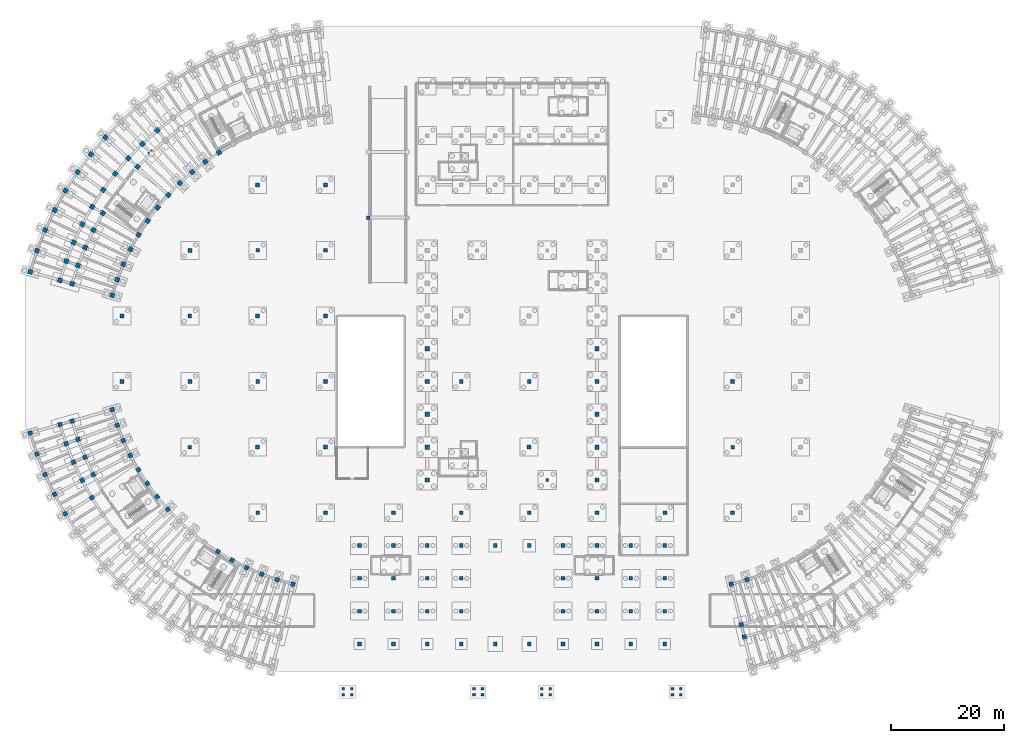
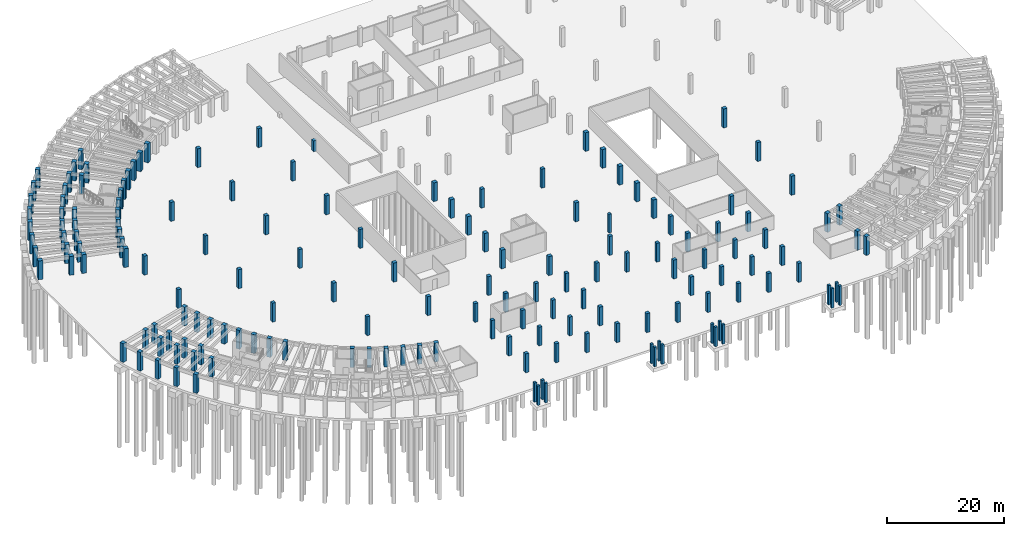
# One storey, part 7 of 29: 162 columns.
"""IFC4 building model written with IfcOpenShell, lengths in metres."""

from ifc_helpers import new_model, si_unit, direction, frame, origin, origin_2d, place, context, subcontext, project, spatial, rectangle, extrude, material, material_profile, profile_set, type_object, element, save


model = new_model("IFC4")

# Units and contexts
model_context = context("Model", 3, precision=1e-05, world=origin(), true_north=direction((0.0, 1.0)))
body_context = subcontext(model_context, "Body", "Model", "MODEL_VIEW")
ifc_project = project(units=[si_unit("LENGTHUNIT", "METRE"), si_unit("AREAUNIT", "SQUARE_METRE"), si_unit("VOLUMEUNIT", "CUBIC_METRE"), si_unit("PLANEANGLEUNIT", "RADIAN"), si_unit("MASSUNIT", "GRAM", prefix="KILO")], contexts=[model_context])

# Site, building, storey
site_placement = place(None, origin())
site = spatial("IfcSite", under=ifc_project, at=site_placement, CompositionType="ELEMENT")
building_placement = place(site_placement, origin())
building = spatial("IfcBuilding", under=site, at=building_placement, Name="Tanwirah Colonnade Gardens", CompositionType="ELEMENT")
storey_placement = place(building_placement, frame((0.0, 0.0, -4.199951171875)))
storey = spatial("IfcBuildingStorey", under=building, at=storey_placement, Name="B1", CompositionType="ELEMENT", Elevation=-4.199951171875)

# Columns
ifc_material_1 = material(Name="Precast concrete C40/50", Category="concrete")
ifc_material_profile_1 = material_profile(ifc_material_1, rectangle(XDim=0.4599609375, YDim=0.4599609375, at=origin_2d()), Name="PC-COL 460x460")
ifc_profile_set_1 = profile_set([ifc_material_profile_1], Name="Precast concrete C40/50")
column_type_1 = type_object("IfcColumnType", Name="C-PC400", PredefinedType="COLUMN", material=ifc_profile_set_1)
for number, where, z_axis, x_axis, name in (
    (1, (63.14990234375, 1.780029296875, -0.449951171875), (0.0, 0.0, 1.0), (1.0, 0.0, 0.0), "Accessible Ramp PED-W Pier 1"),
    (2, (64.64990234375, 1.780029296875, -0.449951171875), (0.0, 0.0, 1.0), (1.0, 0.0, 0.0), "Accessible Ramp PED-W Pier 2"),
    (3, (64.64990234375, 2.8798828125, -0.449951171875), (0.0, 0.0, 1.0), (1.0, 0.0, 0.0), "Accessible Ramp PED-W Pier 3"),
    (4, (63.14990234375, 2.8798828125, -0.449951171875), (0.0, 0.0, 1.0), (1.0, 0.0, 0.0), "Accessible Ramp PED-W Pier 4"),
    (5, (86.25, 1.780029296875, -0.449951171875), (0.0, 0.0, 1.0), (1.0, 0.0, 0.0), "Accessible Ramp PED-CW Pier 1"),
    (6, (87.75, 1.780029296875, -0.449951171875), (0.0, 0.0, 1.0), (1.0, 0.0, 0.0), "Accessible Ramp PED-CW Pier 2"),
    (7, (87.75, 2.8798828125, -0.449951171875), (0.0, 0.0, 1.0), (1.0, 0.0, 0.0), "Accessible Ramp PED-CW Pier 3"),
    (8, (86.25, 2.8798828125, -0.449951171875), (0.0, 0.0, 1.0), (1.0, 0.0, 0.0), "Accessible Ramp PED-CW Pier 4"),
    (9, (98.25, 1.780029296875, -0.449951171875), (0.0, 0.0, 1.0), (1.0, 0.0, 0.0), "Accessible Ramp PED-CE Pier 1"),
    (10, (99.75, 1.780029296875, -0.449951171875), (0.0, 0.0, 1.0), (1.0, 0.0, 0.0), "Accessible Ramp PED-CE Pier 2"),
    (11, (99.75, 2.8798828125, -0.449951171875), (0.0, 0.0, 1.0), (1.0, 0.0, 0.0), "Accessible Ramp PED-CE Pier 3"),
    (12, (98.25, 2.8798828125, -0.449951171875), (0.0, 0.0, 1.0), (1.0, 0.0, 0.0), "Accessible Ramp PED-CE Pier 4"),
    (13, (121.35009765625, 1.780029296875, -0.449951171875), (0.0, 0.0, 1.0), (1.0, 0.0, 0.0), "Accessible Ramp PED-E Pier 1"),
    (14, (122.85009765625, 1.780029296875, -0.449951171875), (0.0, 0.0, 1.0), (1.0, 0.0, 0.0), "Accessible Ramp PED-E Pier 2"),
    (15, (122.85009765625, 2.8798828125, -0.449951171875), (0.0, 0.0, 1.0), (1.0, 0.0, 0.0), "Accessible Ramp PED-E Pier 3"),
    (16, (121.35009765625, 2.8798828125, -0.449951171875), (0.0, 0.0, 1.0), (1.0, 0.0, 0.0), "Accessible Ramp PED-E Pier 4"),
):
    element("IfcColumn", number, at=place(storey_placement, frame(where, z_axis=z_axis, x_axis=x_axis)), inside=storey, type_object=column_type_1, Name=name, PredefinedType="COLUMN", context=body_context, shape_type="SweptSolid", body=[
        extrude(rectangle(XDim=0.4599609375, YDim=0.4599609375, at=origin_2d()), origin(), (0.0, 0.0, 1.0), 4.059814453125),
    ])
ifc_material_profile_2 = material_profile(ifc_material_1, rectangle(XDim=0.5, YDim=0.5, at=origin_2d()), Name="PC-COL 500x500")
ifc_profile_set_2 = profile_set([ifc_material_profile_2], Name="Precast concrete C40/50")
column_type_2 = type_object("IfcColumnType", Name="C-PC500", PredefinedType="COLUMN", material=ifc_profile_set_2)
column_1_placement = place(storey_placement, frame((99.199951171875, 39.800048828125, 0.0), z_axis=(0.0, 0.0, 1.0), x_axis=(1.0, 0.0, 0.0)))
element("IfcColumn", 17, at=column_1_placement, inside=storey, type_object=column_type_2, Name="Community Hall B1 Column 2.0", PredefinedType="COLUMN", context=body_context, shape_type="SweptSolid", body=[
    extrude(rectangle(XDim=0.5, YDim=0.5, at=origin_2d()), origin(), (0.0, 0.0, 1.0), 3.905029296875),
])
ifc_material_2 = material(Name="Concrete C45/55", Category="concrete")
ifc_material_profile_3 = material_profile(ifc_material_2, rectangle(XDim=0.64990234375, YDim=0.64990234375, at=origin_2d()), Name="RC-COL 650x650")
ifc_profile_set_3 = profile_set([ifc_material_profile_3], Name="Concrete C45/55")
column_type_3 = type_object("IfcColumnType", Name="C-RC650", PredefinedType="COLUMN", material=ifc_profile_set_3)
for number, where, z_axis, x_axis, name in (
    (18, (24.0, 57.199951171875, 0.0), (0.0, 0.0, 1.0), (1.0, 0.0, 0.0), "Basement Parking Column 1"),
    (19, (36.0, 45.60009765625, 0.0), (0.0, 0.0, 1.0), (1.0, 0.0, 0.0), "Basement Parking Column 3"),
    (20, (36.0, 68.800048828125, 0.0), (0.0, 0.0, 1.0), (1.0, 0.0, 0.0), "Basement Parking Column 5"),
    (21, (48.0, 34.0, 0.0), (0.0, 0.0, 1.0), (1.0, 0.0, 0.0), "Basement Parking Column 7"),
    (22, (48.0, 57.199951171875, 0.0), (0.0, 0.0, 1.0), (1.0, 0.0, 0.0), "Basement Parking Column 9"),
    (23, (48.0, 80.39990234375, 0.0), (0.0, 0.0, 1.0), (1.0, 0.0, 0.0), "Basement Parking Column 11"),
    (24, (60.0, 34.0, 0.0), (0.0, 0.0, 1.0), (1.0, 0.0, 0.0), "Basement Parking Column 13"),
    (25, (60.0, 57.199951171875, 0.0), (0.0, 0.0, 1.0), (1.0, 0.0, 0.0), "Basement Parking Column 15"),
    (26, (60.0, 80.39990234375, 0.0), (0.0, 0.0, 1.0), (1.0, 0.0, 0.0), "Basement Parking Column 17"),
    (27, (72.0, 34.0, 0.0), (0.0, 0.0, 1.0), (1.0, 0.0, 0.0), "Basement Parking Column 19"),
    (28, (84.0, 57.199951171875, 0.0), (0.0, 0.0, 1.0), (1.0, 0.0, 0.0), "Basement Parking Column 21"),
    (29, (96.0, 34.0, 0.0), (0.0, 0.0, 1.0), (1.0, 0.0, 0.0), "Basement Parking Column 23"),
    (30, (96.0, 57.199951171875, 0.0), (0.0, 0.0, 1.0), (1.0, 0.0, 0.0), "Basement Parking Column 25"),
    (31, (108.0, 34.0, 0.0), (0.0, 0.0, 1.0), (1.0, 0.0, 0.0), "Basement Parking Column 27"),
    (32, (132.0, 45.60009765625, 0.0), (0.0, 0.0, 1.0), (1.0, 0.0, 0.0), "Basement Parking Column 33"),
    (33, (66.0, 10.800048828125, 0.0), (0.0, 0.0, 1.0), (1.0, 0.0, 0.0), "Boulevard Shops W B1 Column 0.0"),
):
    element("IfcColumn", number, at=place(storey_placement, frame(where, z_axis=z_axis, x_axis=x_axis)), inside=storey, type_object=column_type_3, Name=name, PredefinedType="COLUMN", context=body_context, shape_type="SweptSolid", body=[
        extrude(rectangle(XDim=0.64990234375, YDim=0.64990234375, at=origin_2d()), origin(), (0.0, 0.0, 1.0), 3.969970703125),
    ])
for number, where, z_axis, x_axis, name in (
    (34, (66.0, 16.60009765625, 0.0), (0.0, 0.0, 1.0), (1.0, 0.0, 0.0), "Boulevard Shops W B1 Column 0.1"),
    (35, (66.0, 22.39990234375, 0.0), (0.0, 0.0, 1.0), (1.0, 0.0, 0.0), "Boulevard Shops W B1 Column 0.2"),
    (36, (66.0, 28.199951171875, 0.0), (0.0, 0.0, 1.0), (1.0, 0.0, 0.0), "Boulevard Shops W B1 Column 0.3"),
):
    element("IfcColumn", number, at=place(storey_placement, frame(where, z_axis=z_axis, x_axis=x_axis)), inside=storey, type_object=column_type_3, Name=name, PredefinedType="COLUMN", context=body_context, shape_type="SweptSolid", body=[
        extrude(rectangle(XDim=0.64990234375, YDim=0.64990234375, at=origin_2d()), origin(), (0.0, 0.0, 1.0), 3.929931640625),
    ])
column_2_placement = place(storey_placement, frame((72.0, 10.800048828125, 0.0), z_axis=(0.0, 0.0, 1.0), x_axis=(1.0, 0.0, 0.0)))
element("IfcColumn", 37, at=column_2_placement, inside=storey, type_object=column_type_3, Name="Boulevard Shops W B1 Column 1.0", PredefinedType="COLUMN", context=body_context, shape_type="SweptSolid", body=[
    extrude(rectangle(XDim=0.64990234375, YDim=0.64990234375, at=origin_2d()), origin(), (0.0, 0.0, 1.0), 3.969970703125),
])
for number, where, z_axis, x_axis, name in (
    (38, (72.0, 16.60009765625, 0.0), (0.0, 0.0, 1.0), (1.0, 0.0, 0.0), "Boulevard Shops W B1 Column 1.1"),
    (39, (72.0, 22.39990234375, 0.0), (0.0, 0.0, 1.0), (1.0, 0.0, 0.0), "Boulevard Shops W B1 Column 1.2"),
    (40, (72.0, 28.199951171875, 0.0), (0.0, 0.0, 1.0), (1.0, 0.0, 0.0), "Boulevard Shops W B1 Column 1.3"),
):
    element("IfcColumn", number, at=place(storey_placement, frame(where, z_axis=z_axis, x_axis=x_axis)), inside=storey, type_object=column_type_3, Name=name, PredefinedType="COLUMN", context=body_context, shape_type="SweptSolid", body=[
        extrude(rectangle(XDim=0.64990234375, YDim=0.64990234375, at=origin_2d()), origin(), (0.0, 0.0, 1.0), 3.929931640625),
    ])
column_3_placement = place(storey_placement, frame((78.0, 10.800048828125, 0.0), z_axis=(0.0, 0.0, 1.0), x_axis=(1.0, 0.0, 0.0)))
element("IfcColumn", 41, at=column_3_placement, inside=storey, type_object=column_type_3, Name="Boulevard Shops W B1 Column 2.0", PredefinedType="COLUMN", context=body_context, shape_type="SweptSolid", body=[
    extrude(rectangle(XDim=0.64990234375, YDim=0.64990234375, at=origin_2d()), origin(), (0.0, 0.0, 1.0), 3.969970703125),
])
for number, where, z_axis, x_axis, name in (
    (42, (78.0, 16.60009765625, 0.0), (0.0, 0.0, 1.0), (1.0, 0.0, 0.0), "Boulevard Shops W B1 Column 2.1"),
    (43, (78.0, 22.39990234375, 0.0), (0.0, 0.0, 1.0), (1.0, 0.0, 0.0), "Boulevard Shops W B1 Column 2.2"),
    (44, (78.0, 28.199951171875, 0.0), (0.0, 0.0, 1.0), (1.0, 0.0, 0.0), "Boulevard Shops W B1 Column 2.3"),
):
    element("IfcColumn", number, at=place(storey_placement, frame(where, z_axis=z_axis, x_axis=x_axis)), inside=storey, type_object=column_type_3, Name=name, PredefinedType="COLUMN", context=body_context, shape_type="SweptSolid", body=[
        extrude(rectangle(XDim=0.64990234375, YDim=0.64990234375, at=origin_2d()), origin(), (0.0, 0.0, 1.0), 3.929931640625),
    ])
column_4_placement = place(storey_placement, frame((84.0, 10.800048828125, 0.0), z_axis=(0.0, 0.0, 1.0), x_axis=(1.0, 0.0, 0.0)))
element("IfcColumn", 45, at=column_4_placement, inside=storey, type_object=column_type_3, Name="Boulevard Shops W B1 Column 3.0", PredefinedType="COLUMN", context=body_context, shape_type="SweptSolid", body=[
    extrude(rectangle(XDim=0.64990234375, YDim=0.64990234375, at=origin_2d()), origin(), (0.0, 0.0, 1.0), 3.969970703125),
])
for number, where, z_axis, x_axis, name in (
    (46, (84.0, 16.60009765625, 0.0), (0.0, 0.0, 1.0), (1.0, 0.0, 0.0), "Boulevard Shops W B1 Column 3.1"),
    (47, (84.0, 22.39990234375, 0.0), (0.0, 0.0, 1.0), (1.0, 0.0, 0.0), "Boulevard Shops W B1 Column 3.2"),
    (48, (84.0, 28.199951171875, 0.0), (0.0, 0.0, 1.0), (1.0, 0.0, 0.0), "Boulevard Shops W B1 Column 3.3"),
):
    element("IfcColumn", number, at=place(storey_placement, frame(where, z_axis=z_axis, x_axis=x_axis)), inside=storey, type_object=column_type_3, Name=name, PredefinedType="COLUMN", context=body_context, shape_type="SweptSolid", body=[
        extrude(rectangle(XDim=0.64990234375, YDim=0.64990234375, at=origin_2d()), origin(), (0.0, 0.0, 1.0), 3.929931640625),
    ])
column_5_placement = place(storey_placement, frame((102.0, 10.800048828125, 0.0), z_axis=(0.0, 0.0, 1.0), x_axis=(1.0, 0.0, 0.0)))
element("IfcColumn", 49, at=column_5_placement, inside=storey, type_object=column_type_3, Name="Boulevard Shops E B1 Column 0.0", PredefinedType="COLUMN", context=body_context, shape_type="SweptSolid", body=[
    extrude(rectangle(XDim=0.64990234375, YDim=0.64990234375, at=origin_2d()), origin(), (0.0, 0.0, 1.0), 3.969970703125),
])
for number, where, z_axis, x_axis, name in (
    (50, (102.0, 16.60009765625, 0.0), (0.0, 0.0, 1.0), (1.0, 0.0, 0.0), "Boulevard Shops E B1 Column 0.1"),
    (51, (102.0, 22.39990234375, 0.0), (0.0, 0.0, 1.0), (1.0, 0.0, 0.0), "Boulevard Shops E B1 Column 0.2"),
    (52, (102.0, 28.199951171875, 0.0), (0.0, 0.0, 1.0), (1.0, 0.0, 0.0), "Boulevard Shops E B1 Column 0.3"),
):
    element("IfcColumn", number, at=place(storey_placement, frame(where, z_axis=z_axis, x_axis=x_axis)), inside=storey, type_object=column_type_3, Name=name, PredefinedType="COLUMN", context=body_context, shape_type="SweptSolid", body=[
        extrude(rectangle(XDim=0.64990234375, YDim=0.64990234375, at=origin_2d()), origin(), (0.0, 0.0, 1.0), 3.929931640625),
    ])
column_6_placement = place(storey_placement, frame((108.0, 10.800048828125, 0.0), z_axis=(0.0, 0.0, 1.0), x_axis=(1.0, 0.0, 0.0)))
element("IfcColumn", 53, at=column_6_placement, inside=storey, type_object=column_type_3, Name="Boulevard Shops E B1 Column 1.0", PredefinedType="COLUMN", context=body_context, shape_type="SweptSolid", body=[
    extrude(rectangle(XDim=0.64990234375, YDim=0.64990234375, at=origin_2d()), origin(), (0.0, 0.0, 1.0), 3.969970703125),
])
for number, where, z_axis, x_axis, name in (
    (54, (108.0, 16.60009765625, 0.0), (0.0, 0.0, 1.0), (1.0, 0.0, 0.0), "Boulevard Shops E B1 Column 1.1"),
    (55, (108.0, 22.39990234375, 0.0), (0.0, 0.0, 1.0), (1.0, 0.0, 0.0), "Boulevard Shops E B1 Column 1.2"),
    (56, (108.0, 28.199951171875, 0.0), (0.0, 0.0, 1.0), (1.0, 0.0, 0.0), "Boulevard Shops E B1 Column 1.3"),
):
    element("IfcColumn", number, at=place(storey_placement, frame(where, z_axis=z_axis, x_axis=x_axis)), inside=storey, type_object=column_type_3, Name=name, PredefinedType="COLUMN", context=body_context, shape_type="SweptSolid", body=[
        extrude(rectangle(XDim=0.64990234375, YDim=0.64990234375, at=origin_2d()), origin(), (0.0, 0.0, 1.0), 3.929931640625),
    ])
column_7_placement = place(storey_placement, frame((114.0, 10.800048828125, 0.0), z_axis=(0.0, 0.0, 1.0), x_axis=(1.0, 0.0, 0.0)))
element("IfcColumn", 57, at=column_7_placement, inside=storey, type_object=column_type_3, Name="Boulevard Shops E B1 Column 2.0", PredefinedType="COLUMN", context=body_context, shape_type="SweptSolid", body=[
    extrude(rectangle(XDim=0.64990234375, YDim=0.64990234375, at=origin_2d()), origin(), (0.0, 0.0, 1.0), 3.969970703125),
])
for number, where, z_axis, x_axis, name in (
    (58, (114.0, 16.60009765625, 0.0), (0.0, 0.0, 1.0), (1.0, 0.0, 0.0), "Boulevard Shops E B1 Column 2.1"),
    (59, (114.0, 22.39990234375, 0.0), (0.0, 0.0, 1.0), (1.0, 0.0, 0.0), "Boulevard Shops E B1 Column 2.2"),
    (60, (114.0, 28.199951171875, 0.0), (0.0, 0.0, 1.0), (1.0, 0.0, 0.0), "Boulevard Shops E B1 Column 2.3"),
):
    element("IfcColumn", number, at=place(storey_placement, frame(where, z_axis=z_axis, x_axis=x_axis)), inside=storey, type_object=column_type_3, Name=name, PredefinedType="COLUMN", context=body_context, shape_type="SweptSolid", body=[
        extrude(rectangle(XDim=0.64990234375, YDim=0.64990234375, at=origin_2d()), origin(), (0.0, 0.0, 1.0), 3.929931640625),
    ])
column_8_placement = place(storey_placement, frame((120.0, 10.800048828125, 0.0), z_axis=(0.0, 0.0, 1.0), x_axis=(1.0, 0.0, 0.0)))
element("IfcColumn", 61, at=column_8_placement, inside=storey, type_object=column_type_3, Name="Boulevard Shops E B1 Column 3.0", PredefinedType="COLUMN", context=body_context, shape_type="SweptSolid", body=[
    extrude(rectangle(XDim=0.64990234375, YDim=0.64990234375, at=origin_2d()), origin(), (0.0, 0.0, 1.0), 3.969970703125),
])
for number, where, z_axis, x_axis, name in (
    (62, (120.0, 16.60009765625, 0.0), (0.0, 0.0, 1.0), (1.0, 0.0, 0.0), "Boulevard Shops E B1 Column 3.1"),
    (63, (120.0, 22.39990234375, 0.0), (0.0, 0.0, 1.0), (1.0, 0.0, 0.0), "Boulevard Shops E B1 Column 3.2"),
    (64, (120.0, 28.199951171875, 0.0), (0.0, 0.0, 1.0), (1.0, 0.0, 0.0), "Boulevard Shops E B1 Column 3.3"),
):
    element("IfcColumn", number, at=place(storey_placement, frame(where, z_axis=z_axis, x_axis=x_axis)), inside=storey, type_object=column_type_3, Name=name, PredefinedType="COLUMN", context=body_context, shape_type="SweptSolid", body=[
        extrude(rectangle(XDim=0.64990234375, YDim=0.64990234375, at=origin_2d()), origin(), (0.0, 0.0, 1.0), 3.929931640625),
    ])
for number, where, z_axis, x_axis, name in (
    (65, (90.0, 10.800048828125, 0.0), (0.0, 0.0, 1.0), (1.0, 0.0, 0.0), "Forecourt Canopy Basement Pier 1.0"),
    (66, (90.0, 28.199951171875, 0.0), (0.0, 0.0, 1.0), (1.0, 0.0, 0.0), "Forecourt Canopy Basement Pier 1.2"),
    (67, (96.0, 10.800048828125, 0.0), (0.0, 0.0, 1.0), (1.0, 0.0, 0.0), "Forecourt Canopy Basement Pier 2.0"),
    (68, (96.0, 28.199951171875, 0.0), (0.0, 0.0, 1.0), (1.0, 0.0, 0.0), "Forecourt Canopy Basement Pier 2.2"),
):
    element("IfcColumn", number, at=place(storey_placement, frame(where, z_axis=z_axis, x_axis=x_axis)), inside=storey, type_object=column_type_3, Name=name, PredefinedType="COLUMN", context=body_context, shape_type="SweptSolid", body=[
        extrude(rectangle(XDim=0.64990234375, YDim=0.64990234375, at=origin_2d()), origin(), (0.0, 0.0, 1.0), 3.969970703125),
    ])
column_9_placement = place(storey_placement, frame((67.550048828125, 86.199951171875, 0.0), z_axis=(0.0, 0.0, 1.0), x_axis=(1.0, 0.0, 0.0)))
element("IfcColumn", 69, at=column_9_placement, inside=storey, type_object=column_type_3, Name="Vehicle Ramp Support Pier 1-W", PredefinedType="COLUMN", context=body_context, shape_type="SweptSolid", body=[
    extrude(rectangle(XDim=0.64990234375, YDim=0.64990234375, at=origin_2d()), origin(), (0.0, 0.0, 1.0), 2.254150390625),
])
ifc_material_profile_4 = material_profile(ifc_material_2, rectangle(XDim=0.699951171875, YDim=0.699951171875, at=origin_2d()), Name="RC-COL 700x700")
ifc_profile_set_4 = profile_set([ifc_material_profile_4], Name="Concrete C45/55")
column_type_4 = type_object("IfcColumnType", Name="C-RC700", PredefinedType="COLUMN", material=ifc_profile_set_4)
for number, where, z_axis, x_axis, name in (
    (70, (24.0, 68.800048828125, 0.0), (0.0, 0.0, 1.0), (1.0, 0.0, 0.0), "Basement Parking Column 2"),
    (71, (36.0, 57.199951171875, 0.0), (0.0, 0.0, 1.0), (1.0, 0.0, 0.0), "Basement Parking Column 4"),
    (72, (36.0, 80.39990234375, 0.0), (0.0, 0.0, 1.0), (1.0, 0.0, 0.0), "Basement Parking Column 6"),
    (73, (48.0, 45.60009765625, 0.0), (0.0, 0.0, 1.0), (1.0, 0.0, 0.0), "Basement Parking Column 8"),
    (74, (48.0, 68.800048828125, 0.0), (0.0, 0.0, 1.0), (1.0, 0.0, 0.0), "Basement Parking Column 10"),
    (75, (48.0, 92.0, 0.0), (0.0, 0.0, 1.0), (1.0, 0.0, 0.0), "Basement Parking Column 12"),
    (76, (60.0, 45.60009765625, 0.0), (0.0, 0.0, 1.0), (1.0, 0.0, 0.0), "Basement Parking Column 14"),
    (77, (60.0, 68.800048828125, 0.0), (0.0, 0.0, 1.0), (1.0, 0.0, 0.0), "Basement Parking Column 16"),
    (78, (60.0, 92.0, 0.0), (0.0, 0.0, 1.0), (1.0, 0.0, 0.0), "Basement Parking Column 18"),
    (79, (84.0, 34.0, 0.0), (0.0, 0.0, 1.0), (1.0, 0.0, 0.0), "Basement Parking Column 20"),
    (80, (96.0, 45.60009765625, 0.0), (0.0, 0.0, 1.0), (1.0, 0.0, 0.0), "Basement Parking Column 24"),
    (81, (120.0, 34.0, 0.0), (0.0, 0.0, 1.0), (1.0, 0.0, 0.0), "Basement Parking Column 28"),
    (82, (132.0, 34.0, 0.0), (0.0, 0.0, 1.0), (1.0, 0.0, 0.0), "Basement Parking Column 32"),
    (83, (132.0, 57.199951171875, 0.0), (0.0, 0.0, 1.0), (1.0, 0.0, 0.0), "Basement Parking Column 34"),
):
    element("IfcColumn", number, at=place(storey_placement, frame(where, z_axis=z_axis, x_axis=x_axis)), inside=storey, type_object=column_type_4, Name=name, PredefinedType="COLUMN", context=body_context, shape_type="SweptSolid", body=[
        extrude(rectangle(XDim=0.699951171875, YDim=0.699951171875, at=origin_2d()), origin(), (0.0, 0.0, 1.0), 3.969970703125),
    ])
ifc_material_profile_5 = material_profile(ifc_material_2, rectangle(XDim=0.75, YDim=0.75, at=origin_2d()), Name="RC-COL 750x750")
ifc_profile_set_5 = profile_set([ifc_material_profile_5], Name="Concrete C45/55")
column_type_5 = type_object("IfcColumnType", Name="C-RC750", PredefinedType="COLUMN", material=ifc_profile_set_5)
for number, where, z_axis, x_axis, name in (
    (84, (22.27197265625, 52.247802734375, 0.0), (0.0, 0.0, 1.0), (-0.961261695938, -0.275637355817, 0.0), "Block C B1 Column 0-R0"),
    (85, (15.15869140625, 50.208251953125, 0.0), (0.0, 0.0, 1.0), (-0.961261695938, -0.275637355817, 0.0), "Block C B1 Column 0-R1"),
    (86, (13.043701171875, 49.601806640625, 0.0), (0.0, 0.0, 1.0), (-0.961261695938, -0.275637355817, 0.0), "Block C B1 Column 0-R2"),
    (87, (7.7568359375, 48.085693359375, 0.0), (0.0, 0.0, 1.0), (-0.961261695938, -0.275637355817, 0.0), "Block C B1 Column 0-R3"),
    (88, (23.164794921875, 49.4794921875, 0.0), (0.0, 0.0, 1.0), (-0.941176015256, -0.337916718003, 0.0), "Block C B1 Column 1-R0"),
    (89, (16.199951171875, 46.97900390625, 0.0), (0.0, 0.0, 1.0), (-0.941176015256, -0.337916718003, 0.0), "Block C B1 Column 1-R1"),
    (90, (14.12939453125, 46.235595703125, 0.0), (0.0, 0.0, 1.0), (-0.941176015256, -0.337916718003, 0.0), "Block C B1 Column 1-R2"),
    (91, (8.952880859375, 44.376953125, 0.0), (0.0, 0.0, 1.0), (-0.941176015256, -0.337916718003, 0.0), "Block C B1 Column 1-R3"),
    (92, (24.236572265625, 46.775634765625, 0.0), (0.0, 0.0, 1.0), (-0.917060074385, -0.398749068925, 0.0), "Block C B1 Column 2-R0"),
    (93, (17.450439453125, 43.824951171875, 0.0), (0.0, 0.0, 1.0), (-0.917060074385, -0.398749068925, 0.0), "Block C B1 Column 2-R1"),
    (94, (15.432861328125, 42.947509765625, 0.0), (0.0, 0.0, 1.0), (-0.917060074385, -0.398749068925, 0.0), "Block C B1 Column 2-R2"),
    (95, (10.38916015625, 40.75439453125, 0.0), (0.0, 0.0, 1.0), (-0.917060074385, -0.398749068925, 0.0), "Block C B1 Column 2-R3"),
    (96, (25.483154296875, 44.1474609375, 0.0), (0.0, 0.0, 1.0), (-0.889017141486, -0.457873915117, 0.0), "Block C B1 Column 3-R0"),
    (97, (18.904541015625, 40.75927734375, 0.0), (0.0, 0.0, 1.0), (-0.889017141486, -0.457873915117, 0.0), "Block C B1 Column 3-R1"),
    (98, (16.94873046875, 39.751953125, 0.0), (0.0, 0.0, 1.0), (-0.889017141486, -0.457873915117, 0.0), "Block C B1 Column 3-R2"),
    (99, (12.05908203125, 37.233642578125, 0.0), (0.0, 0.0, 1.0), (-0.889017141486, -0.457873915117, 0.0), "Block C B1 Column 3-R3"),
    (100, (26.89892578125, 41.6064453125, 0.0), (0.0, 0.0, 1.0), (-0.857167300702, -0.51503807491, 0.0), "Block C B1 Column 4-R0"),
    (101, (18.670166015625, 36.662109375, 0.0), (0.0, 0.0, 1.0), (-0.857167300702, -0.51503807491, 0.0), "Block C B1 Column 4-R2"),
    (102, (13.95556640625, 33.82958984375, 0.0), (0.0, 0.0, 1.0), (-0.857167300702, -0.51503807491, 0.0), "Block C B1 Column 4-R3"),
    (103, (28.477783203125, 39.16357421875, 0.0), (0.0, 0.0, 1.0), (-0.821646937942, -0.569996762596, 0.0), "Block C B1 Column 5-R0"),
    (104, (30.213134765625, 36.829345703125, 0.0), (0.0, 0.0, 1.0), (-0.782608156852, -0.622514636638, 0.0), "Block C B1 Column 6-R0"),
    (105, (32.097412109375, 34.61328125, 0.0), (0.0, 0.0, 1.0), (-0.740218127487, -0.672366807435, 0.0), "Block C B1 Column 7-R0"),
    (106, (40.95361328125, 27.11572265625, 0.0), (0.0, 0.0, 1.0), (-0.540974471368, -0.841039012964, 0.0), "Block C B1 Column 11-R0"),
    (107, (43.4501953125, 25.623046875, 0.0), (0.0, 0.0, 1.0), (-0.484809620246, -0.874619707139, 0.0), "Block C B1 Column 12-R0"),
    (108, (46.0390625, 24.296875, 0.0), (0.0, 0.0, 1.0), (-0.426568739901, -0.904455145454, 0.0), "Block C B1 Column 13-R0"),
    (109, (48.708984375, 23.142822265625, 0.0), (0.0, 0.0, 1.0), (-0.366501226724, -0.930417567982, 0.0), "Block C B1 Column 14-R0"),
    (110, (51.44873046875, 22.166015625, 0.0), (0.0, 0.0, 1.0), (-0.304864299028, -0.952395799643, 0.0), "Block C B1 Column 15-R0"),
    (111, (54.24658203125, 21.370361328125, 0.0), (0.0, 0.0, 1.0), (-0.2419218956, -0.970295726276, 0.0), "Block C B1 Column 16-R0"),
    (112, (131.75341796875, 21.370361328125, 0.0), (0.0, 0.0, 1.0), (0.2419218956, -0.970295726276, 0.0), "Block D B1 Column 0-R0"),
    (113, (133.543701171875, 14.190185546875, 0.0), (0.0, 0.0, 1.0), (0.2419218956, -0.970295726276, 0.0), "Block D B1 Column 0-R1"),
    (114, (134.075927734375, 12.055419921875, 0.0), (0.0, 0.0, 1.0), (0.2419218956, -0.970295726276, 0.0), "Block D B1 Column 0-R2"),
    (115, (134.55126953125, 22.166015625, 0.0), (0.0, 0.0, 1.0), (0.304864299028, -0.952395799643, 0.0), "Block D B1 Column 1-R0"),
):
    element("IfcColumn", number, at=place(storey_placement, frame(where, z_axis=z_axis, x_axis=x_axis)), inside=storey, type_object=column_type_5, Name=name, PredefinedType="COLUMN", context=body_context, shape_type="SweptSolid", body=[
        extrude(rectangle(XDim=0.75, YDim=0.75, at=origin_2d()), origin(), (0.0, 0.0, 1.0), 3.919921875),
    ])
for number, where, z_axis, x_axis, name in (
    (116, (78.0, 39.800048828125, 0.0), (0.0, 0.0, 1.0), (1.0, 0.0, 0.0), "Community Hall B1 Column 0.0"),
    (117, (78.0, 45.60009765625, 0.0), (0.0, 0.0, 1.0), (1.0, 0.0, 0.0), "Community Hall B1 Column 0.1"),
    (118, (78.0, 51.39990234375, 0.0), (0.0, 0.0, 1.0), (1.0, 0.0, 0.0), "Community Hall B1 Column 0.2"),
    (119, (78.0, 57.199951171875, 0.0), (0.0, 0.0, 1.0), (1.0, 0.0, 0.0), "Community Hall B1 Column 0.3"),
    (120, (78.0, 63.0, 0.0), (0.0, 0.0, 1.0), (1.0, 0.0, 0.0), "Community Hall B1 Column 0.4"),
    (121, (108.0, 39.800048828125, 0.0), (0.0, 0.0, 1.0), (1.0, 0.0, 0.0), "Community Hall B1 Column 3.0"),
    (122, (108.0, 45.60009765625, 0.0), (0.0, 0.0, 1.0), (1.0, 0.0, 0.0), "Community Hall B1 Column 3.1"),
    (123, (108.0, 51.39990234375, 0.0), (0.0, 0.0, 1.0), (1.0, 0.0, 0.0), "Community Hall B1 Column 3.2"),
    (124, (108.0, 57.199951171875, 0.0), (0.0, 0.0, 1.0), (1.0, 0.0, 0.0), "Community Hall B1 Column 3.3"),
    (125, (108.0, 63.0, 0.0), (0.0, 0.0, 1.0), (1.0, 0.0, 0.0), "Community Hall B1 Column 3.4"),
):
    element("IfcColumn", number, at=place(storey_placement, frame(where, z_axis=z_axis, x_axis=x_axis)), inside=storey, type_object=column_type_5, Name=name, PredefinedType="COLUMN", context=body_context, shape_type="SweptSolid", body=[
        extrude(rectangle(XDim=0.75, YDim=0.75, at=origin_2d()), origin(), (0.0, 0.0, 1.0), 3.905029296875),
    ])
ifc_material_3 = material(Name="Concrete C50/60", Category="concrete")
ifc_material_profile_6 = material_profile(ifc_material_3, rectangle(XDim=0.800048828125, YDim=0.800048828125, at=origin_2d()), Name="RC-COL 800x800")
ifc_profile_set_6 = profile_set([ifc_material_profile_6], Name="Concrete C50/60")
column_type_6 = type_object("IfcColumnType", Name="C-RC800", PredefinedType="COLUMN", material=ifc_profile_set_6)
for number, where, z_axis, x_axis, name in (
    (126, (41.1533203125, 97.7119140625, 0.0), (0.0, 0.0, 1.0), (-0.536481603385, 0.843912015099, 0.0), "Block A B1 Column 7-R0"),
    (127, (38.733642578125, 96.05908203125, 0.0), (0.0, 0.0, 1.0), (-0.590918628541, 0.806731166153, 0.0), "Block A B1 Column 8-R0"),
    (128, (36.427978515625, 94.250732421875, 0.0), (0.0, 0.0, 1.0), (-0.642787636427, 0.766044420681, 0.0), "Block A B1 Column 9-R0"),
    (129, (30.25732421875, 101.604736328125, 0.0), (0.0, 0.0, 1.0), (-0.642787636427, 0.766044420681, 0.0), "Block A B1 Column 9-R2"),
    (130, (34.24658203125, 92.294189453125, 0.0), (0.0, 0.0, 1.0), (-0.691863214436, 0.722028595355, 0.0), "Block A B1 Column 10-R0"),
    (131, (27.604736328125, 99.2255859375, 0.0), (0.0, 0.0, 1.0), (-0.691863214436, 0.722028595355, 0.0), "Block A B1 Column 10-R2"),
    (132, (32.198974609375, 90.1982421875, 0.0), (0.0, 0.0, 1.0), (-0.737932089665, 0.674874974378, 0.0), "Block A B1 Column 11-R0"),
    (133, (26.73828125, 95.1923828125, 0.0), (0.0, 0.0, 1.0), (-0.737932089665, 0.674874974378, 0.0), "Block A B1 Column 11-R1"),
    (134, (25.11474609375, 96.677001953125, 0.0), (0.0, 0.0, 1.0), (-0.737932089665, 0.674874974378, 0.0), "Block A B1 Column 11-R2"),
    (135, (21.05615234375, 100.388916015625, 0.0), (0.0, 0.0, 1.0), (-0.737932089665, 0.674874974378, 0.0), "Block A B1 Column 11-R3"),
    (136, (30.293701171875, 87.971923828125, 0.0), (0.0, 0.0, 1.0), (-0.780794055756, 0.624788478204, 0.0), "Block A B1 Column 12-R0"),
    (137, (22.798095703125, 93.9697265625, 0.0), (0.0, 0.0, 1.0), (-0.780794055756, 0.624788478204, 0.0), "Block A B1 Column 12-R2"),
    (138, (18.503662109375, 97.40625, 0.0), (0.0, 0.0, 1.0), (-0.780794055756, 0.624788478204, 0.0), "Block A B1 Column 12-R3"),
    (139, (28.539306640625, 85.624755859375, 0.0), (0.0, 0.0, 1.0), (-0.82026284295, 0.57198677299, 0.0), "Block A B1 Column 13-R0"),
    (140, (20.664794921875, 91.115966796875, 0.0), (0.0, 0.0, 1.0), (-0.82026284295, 0.57198677299, 0.0), "Block A B1 Column 13-R2"),
    (141, (16.1533203125, 94.26171875, 0.0), (0.0, 0.0, 1.0), (-0.82026284295, 0.57198677299, 0.0), "Block A B1 Column 13-R3"),
    (142, (26.943359375, 83.167236328125, 0.0), (0.0, 0.0, 1.0), (-0.856166927587, 0.516699324663, 0.0), "Block A B1 Column 14-R0"),
    (143, (20.607666015625, 86.990966796875, 0.0), (0.0, 0.0, 1.0), (-0.856166927587, 0.516699324663, 0.0), "Block A B1 Column 14-R1"),
    (144, (18.72412109375, 88.127685546875, 0.0), (0.0, 0.0, 1.0), (-0.856166927587, 0.516699324663, 0.0), "Block A B1 Column 14-R2"),
    (145, (14.015380859375, 90.969482421875, 0.0), (0.0, 0.0, 1.0), (-0.856166927587, 0.516699324663, 0.0), "Block A B1 Column 14-R3"),
    (146, (25.512939453125, 80.60986328125, 0.0), (0.0, 0.0, 1.0), (-0.888350277506, 0.459166401705, 0.0), "Block A B1 Column 15-R0"),
    (147, (18.93896484375, 84.0078125, 0.0), (0.0, 0.0, 1.0), (-0.888350277506, 0.459166401705, 0.0), "Block A B1 Column 15-R1"),
    (148, (16.984619140625, 85.017822265625, 0.0), (0.0, 0.0, 1.0), (-0.888350277506, 0.459166401705, 0.0), "Block A B1 Column 15-R2"),
    (149, (12.0986328125, 87.54345703125, 0.0), (0.0, 0.0, 1.0), (-0.888350277506, 0.459166401705, 0.0), "Block A B1 Column 15-R3"),
    (150, (24.25390625, 77.9638671875, 0.0), (0.0, 0.0, 1.0), (-0.916673030138, 0.399638030994, 0.0), "Block A B1 Column 16-R0"),
    (151, (17.470458984375, 80.921142578125, 0.0), (0.0, 0.0, 1.0), (-0.916673030138, 0.399638030994, 0.0), "Block A B1 Column 16-R1"),
    (152, (15.453857421875, 81.800537109375, 0.0), (0.0, 0.0, 1.0), (-0.916673030138, 0.399638030994, 0.0), "Block A B1 Column 16-R2"),
    (153, (10.412109375, 83.99853515625, 0.0), (0.0, 0.0, 1.0), (-0.916673030138, 0.399638030994, 0.0), "Block A B1 Column 16-R3"),
    (154, (23.172119140625, 75.24072265625, 0.0), (0.0, 0.0, 1.0), (-0.941012100316, 0.338372911236, 0.0), "Block A B1 Column 17-R0"),
    (155, (16.20849609375, 77.74462890625, 0.0), (0.0, 0.0, 1.0), (-0.941012100316, 0.338372911236, 0.0), "Block A B1 Column 17-R1"),
    (156, (14.13818359375, 78.489013671875, 0.0), (0.0, 0.0, 1.0), (-0.941012100316, 0.338372911236, 0.0), "Block A B1 Column 17-R2"),
    (157, (8.962646484375, 80.35009765625, 0.0), (0.0, 0.0, 1.0), (-0.941012100316, 0.338372911236, 0.0), "Block A B1 Column 17-R3"),
    (158, (22.27197265625, 72.4521484375, 0.0), (0.0, 0.0, 1.0), (-0.961261715181, 0.275637288708, 0.0), "Block A B1 Column 18-R0"),
    (159, (15.15869140625, 74.49169921875, 0.0), (0.0, 0.0, 1.0), (-0.961261715181, 0.275637288708, 0.0), "Block A B1 Column 18-R1"),
    (160, (13.043701171875, 75.09814453125, 0.0), (0.0, 0.0, 1.0), (-0.961261715181, 0.275637288708, 0.0), "Block A B1 Column 18-R2"),
    (161, (7.7568359375, 76.6142578125, 0.0), (0.0, 0.0, 1.0), (-0.961261715181, 0.275637288708, 0.0), "Block A B1 Column 18-R3"),
):
    element("IfcColumn", number, at=place(storey_placement, frame(where, z_axis=z_axis, x_axis=x_axis)), inside=storey, type_object=column_type_6, Name=name, PredefinedType="COLUMN", context=body_context, shape_type="SweptSolid", body=[
        extrude(rectangle(XDim=0.800048828125, YDim=0.800048828125, at=origin_2d()), origin(), (0.0, 0.0, 1.0), 3.919921875),
    ])
ifc_material_profile_7 = material_profile(ifc_material_3, rectangle(XDim=0.85009765625, YDim=0.85009765625, at=origin_2d()), Name="RC-COL 850x850")
ifc_profile_set_7 = profile_set([ifc_material_profile_7], Name="Concrete C50/60")
column_type_7 = type_object("IfcColumnType", Name="C-RC850", PredefinedType="COLUMN", material=ifc_profile_set_7)
column_10_placement = place(storey_placement, frame((29.126953125, 97.63720703125, 0.0), z_axis=(0.0, 0.0, 1.0), x_axis=(-0.691863214436, 0.722028595355, 0.0)))
element("IfcColumn", 162, at=column_10_placement, inside=storey, type_object=column_type_7, Name="Block A B1 Column 10-R1", PredefinedType="COLUMN", context=body_context, shape_type="SweptSolid", body=[
    extrude(rectangle(XDim=0.85009765625, YDim=0.85009765625, at=origin_2d()), origin(), (0.0, 0.0, 1.0), 3.919921875),
])

save(model, "model.ifc")
